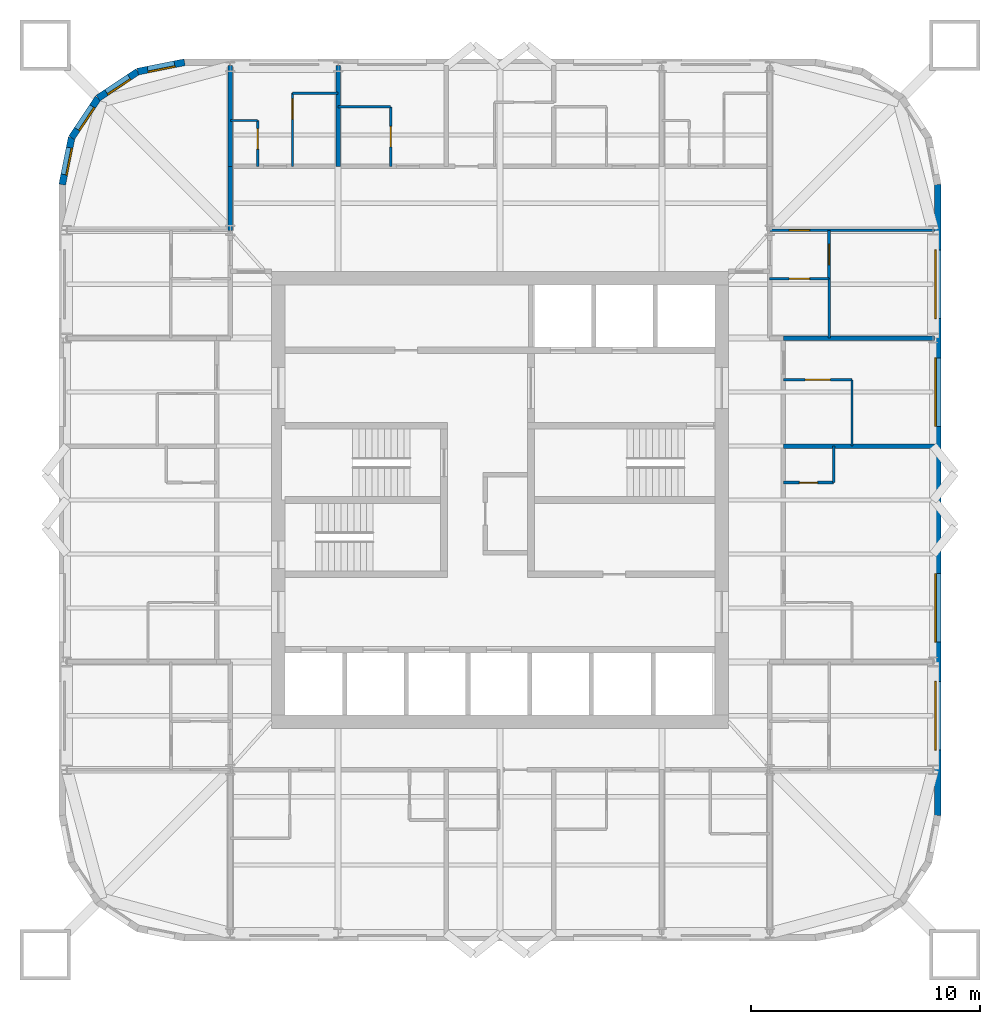
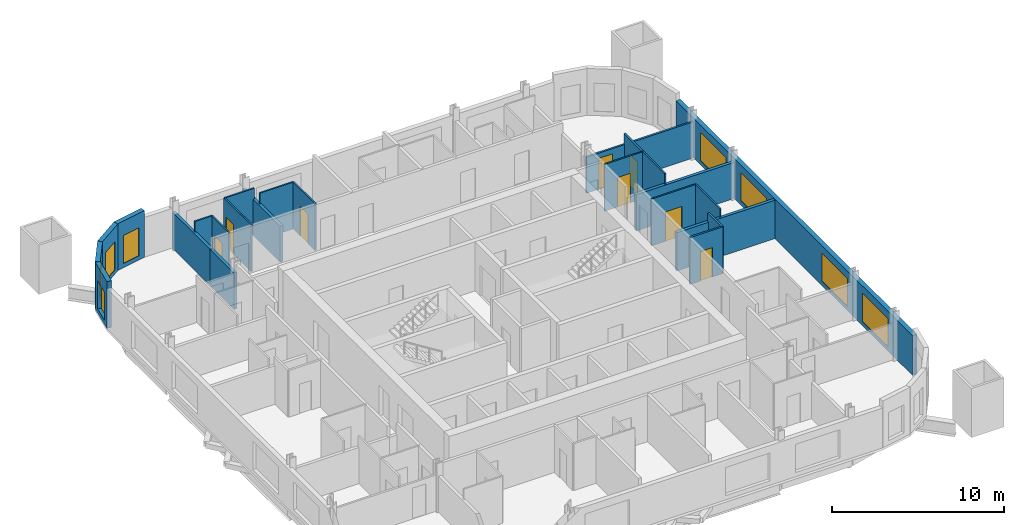
# One storey, part 6 of 9: 24 walls, 8 doors, 8 windows, 16 openings.
"""IFC4 building model written with IfcOpenShell, lengths in metres."""

import ifcopenshell
import ifcopenshell.guid

model = None  # the IFC model being written
_history = None  # IfcOwnerHistory: only IFC2X3 demands one
_inside = {}  # id of a spatial element -> (the spatial element, [elements in it])
_under = {}  # id of a project, library or spatial element -> (it, [spatial elements below it])
_declared = {}  # id of a project -> (the project, [libraries it declares])
_typed = {}  # id of a type object -> (the type object, [elements of that type])
_made_of = {}  # id of a material, layer set ... -> (it, [elements and type objects made of it])


def new_model(schema):
    """Start an empty IFC model of exactly this schema.

    Asked for "IFC4X3", IfcOpenShell would pick the latest addendum, in which some entities
    have other attributes; the version numbers below select the first issue.
    IFC2X3 requires an IfcOwnerHistory on every rooted entity: one is made here for all.
    """
    global model, _history
    if schema == "IFC4X3":
        model = ifcopenshell.file(schema_version=(4, 3, 0, 0))
    else:
        model = ifcopenshell.file(schema=schema)
    _inside.clear()
    _under.clear()
    _declared.clear()
    _typed.clear()
    _made_of.clear()
    _history = None
    if model.schema == "IFC2X3":
        org = make("IfcOrganization", Name="unknown")
        user = make(
            "IfcPersonAndOrganization",
            ThePerson=make("IfcPerson", FamilyName="unknown"),
            TheOrganization=org,
        )
        app = make(
            "IfcApplication",
            ApplicationDeveloper=org,
            Version="unknown",
            ApplicationFullName="unknown",
            ApplicationIdentifier="unknown",
        )
        _history = make(
            "IfcOwnerHistory",
            OwningUser=user,
            OwningApplication=app,
            ChangeAction="ADDED",
            CreationDate=0,
        )
    return model


def make(cls, **values):
    """One entity of the class cls with the attributes given. An attribute that is None is left unset."""
    return model.create_entity(
        cls, **{name: value for name, value in values.items() if value is not None}
    )


def rooted(cls, **values):
    """An entity with a GlobalId (a new one), such as an element, a storey or a relation."""
    return make(cls, GlobalId=ifcopenshell.guid.new(), OwnerHistory=_history, **values)


def si_unit(unit_type, name, prefix=None):
    """IfcSIUnit, for example si_unit("LENGTHUNIT", "METRE", prefix="MILLI")."""
    return make("IfcSIUnit", UnitType=unit_type, Prefix=prefix, Name=name)


def assignment(units):
    """IfcUnitAssignment: the units of a project."""
    return None if units is None else make("IfcUnitAssignment", Units=units)


def point(xyz):
    """IfcCartesianPoint."""
    return None if xyz is None else make("IfcCartesianPoint", Coordinates=xyz)


def direction(xyz):
    """IfcDirection."""
    return None if xyz is None else make("IfcDirection", DirectionRatios=xyz)


def frame(location, z_axis=None, x_axis=None):
    """IfcAxis2Placement3D, a coordinate frame: its origin and axes. An axis left out is left unset."""
    return make(
        "IfcAxis2Placement3D",
        Location=point(location),
        Axis=direction(z_axis),
        RefDirection=direction(x_axis),
    )


def frame_2d(location, x_axis=None):
    """IfcAxis2Placement2D, a coordinate frame in the plane: its origin and x axis."""
    return make(
        "IfcAxis2Placement2D", Location=point(location), RefDirection=direction(x_axis)
    )


def origin():
    """The frame at (0, 0, 0) with its axes left unset."""
    return frame((0.0, 0.0, 0.0))


def place(relative_to, where):
    """IfcLocalPlacement: puts the frame where relative to a parent placement (None: the world)."""
    return make(
        "IfcLocalPlacement", PlacementRelTo=relative_to, RelativePlacement=where
    )


def context(
    kind, dimensions, precision=None, world=None, true_north=None, identifier=None
):
    """IfcGeometricRepresentationContext, for example the 3D "Model" context."""
    return make(
        "IfcGeometricRepresentationContext",
        ContextIdentifier=identifier,
        ContextType=kind,
        CoordinateSpaceDimension=dimensions,
        Precision=precision,
        WorldCoordinateSystem=world,
        TrueNorth=true_north,
    )


def subcontext(parent, identifier, kind, view, scale=None):
    """IfcGeometricRepresentationSubContext, for example "Body" below "Model"."""
    return make(
        "IfcGeometricRepresentationSubContext",
        ContextIdentifier=identifier,
        ContextType=kind,
        ParentContext=parent,
        TargetScale=scale,
        TargetView=view,
    )


def project(units=None, contexts=None):
    """IfcProject with its units and contexts."""
    return rooted(
        "IfcProject",
        Name="project",
        RepresentationContexts=contexts,
        UnitsInContext=assignment(units),
    )


def spatial(cls, under=None, at=None, **own):
    """A site, building, storey or space (cls), placed at a placement, below another one or the project."""
    s = rooted(cls, ObjectPlacement=at, **own)
    if under is not None:
        _under.setdefault(under.id(), (under, []))[1].append(s)
    return s


def profile(cls, at=None, kind="AREA", **sizes):
    """A parametric profile (cls). Its sizes go by their IFC names, for example OverallWidth=200.0."""
    return make(cls, ProfileType=kind, Position=at, **sizes)


def rectangle(**sizes):
    """IfcRectangleProfileDef."""
    return profile("IfcRectangleProfileDef", **sizes)


def extrude(swept, where, along, depth):
    """IfcExtrudedAreaSolid: the profile swept, set in the frame where, extruded along a direction by depth."""
    return make(
        "IfcExtrudedAreaSolid",
        SweptArea=swept,
        Position=where,
        ExtrudedDirection=direction(along),
        Depth=depth,
    )


def shape(context_of_items, identifier, shape_type, items):
    """IfcShapeRepresentation: the items that make up one representation, for example the "Body"."""
    return make(
        "IfcShapeRepresentation",
        ContextOfItems=context_of_items,
        RepresentationIdentifier=identifier,
        RepresentationType=shape_type,
        Items=items,
    )


def material(Name=None, Category=None):
    """IfcMaterial."""
    return make("IfcMaterial", Name=Name, Category=Category)


def layer(
    of_material, thickness, ventilated=None, Name=None, Category=None, Priority=None
):
    """IfcMaterialLayer: one layer of a wall or slab, of a material (None: an air gap)."""
    return make(
        "IfcMaterialLayer",
        Material=of_material,
        LayerThickness=thickness,
        IsVentilated=ventilated,
        Name=Name,
        Category=Category,
        Priority=Priority,
    )


def layer_set(layers, Name=None):
    """IfcMaterialLayerSet."""
    return make("IfcMaterialLayerSet", MaterialLayers=layers, LayerSetName=Name)


def made_of(thing, what):
    """Note that an element or type object is made of a material, layer set ...; save() writes the relation."""
    if what is not None:
        _made_of.setdefault(what.id(), (what, []))[1].append(thing)
    return thing


def type_object(cls, material=None, **own):
    """A type object (cls), such as IfcWallType, which elements share."""
    return made_of(rooted(cls, **own), material)


def element(
    cls,
    number,
    at=None,
    inside=None,
    cuts=None,
    type_object=None,
    material=None,
    context=None,
    identifier="Body",
    shape_type=None,
    held_by="IfcProductDefinitionShape",
    body=None,
    shapes=None,
    **own,
):
    """One element of the class cls, such as IfcWall. Its Tag is "e" and its number.

    at: its placement. inside: the storey or other place that contains it. cuts: it is an
    opening in that element (IfcRelVoidsElement). A single representation is given by context,
    identifier, shape_type and body (its items); several are given by shapes. held_by: the class
    of the entity that holds the representations. save() writes the other relations.
    """
    e = rooted(cls, Tag="e%d" % number, ObjectPlacement=at, **own)
    if body is not None:
        shapes = [shape(context, identifier, shape_type, body)]
    if shapes is not None:
        e.Representation = make(held_by, Representations=shapes)
    if inside is not None:
        _inside.setdefault(inside.id(), (inside, []))[1].append(e)
    if cuts is not None:
        rooted(
            "IfcRelVoidsElement", RelatingBuildingElement=cuts, RelatedOpeningElement=e
        )
    if type_object is not None:
        _typed.setdefault(type_object.id(), (type_object, []))[1].append(e)
    return made_of(e, material)


def fill(opening, filler):
    """IfcRelFillsElement: the door or window that sits in an opening."""
    return rooted(
        "IfcRelFillsElement",
        RelatingOpeningElement=opening,
        RelatedBuildingElement=filler,
    )


def aggregate(whole, parts):
    """IfcRelAggregates: a whole, such as a stair, and the parts it consists of."""
    return rooted("IfcRelAggregates", RelatingObject=whole, RelatedObjects=parts)


def save(model, path):
    """Write the relations noted so far, then the file.

    IfcRelAggregates (storeys below a building ...), IfcRelContainedInSpatialStructure (elements
    in a storey), IfcRelDefinesByType, IfcRelAssociatesMaterial and IfcRelDeclares: one each for
    every whole, place, type object, material and project.
    """
    for whole, parts in _under.values():
        aggregate(whole, parts)
    for where, things in _inside.values():
        rooted(
            "IfcRelContainedInSpatialStructure",
            RelatedElements=things,
            RelatingStructure=where,
        )
    for kind, things in _typed.values():
        rooted("IfcRelDefinesByType", RelatedObjects=things, RelatingType=kind)
    for what, things in _made_of.values():
        rooted("IfcRelAssociatesMaterial", RelatedObjects=things, RelatingMaterial=what)
    for by, libraries in _declared.values():
        rooted("IfcRelDeclares", RelatingContext=by, RelatedDefinitions=libraries)
    model.write(path)


model = new_model("IFC4")

# Units and contexts
model_context = context("Model", 3, precision=1e-05, world=origin(), true_north=direction((0.0, 1.0)))
body_context = subcontext(model_context, "Body", "Model", "MODEL_VIEW")
ifc_project = project(units=[si_unit("LENGTHUNIT", "METRE"), si_unit("AREAUNIT", "SQUARE_METRE"), si_unit("VOLUMEUNIT", "CUBIC_METRE"), si_unit("PLANEANGLEUNIT", "RADIAN"), si_unit("MASSUNIT", "GRAM", prefix="KILO")], contexts=[model_context])

# Site, building, storey
site_placement = place(None, origin())
site = spatial("IfcSite", under=ifc_project, at=site_placement, CompositionType="ELEMENT")
building_placement = place(site_placement, origin())
building = spatial("IfcBuilding", under=site, at=building_placement, Name="Turquesa Mirador Hotel Tower", CompositionType="ELEMENT")
storey_placement = place(building_placement, frame((0.0, 0.0, 189.800048828125)))
storey = spatial("IfcBuildingStorey", under=building, at=storey_placement, Name="L51", CompositionType="ELEMENT", Elevation=189.800048828125)

# Walls
ifc_material_1 = material(Name="Gypsum board on steel studs", Category="steel")
ifc_layer_1 = layer(ifc_material_1, 0.10009765625)
ifc_layer_set_1 = layer_set([ifc_layer_1], Name="BATHROOM WALL 100")
wall_type_1 = type_object("IfcWallType", Name="BATHROOM WALL 100", PredefinedType="PARTITIONING", material=ifc_layer_set_1)
wall_1_placement = place(storey_placement, frame((43.199951171875, 61.60009765625, 0.0), z_axis=(0.0, 0.0, 1.0), x_axis=(1.0, 0.0, 0.0)))
element("IfcWall", 1, at=wall_1_placement, inside=storey, type_object=wall_type_1, Name="Partition L51 024", PredefinedType="PARTITIONING", context=body_context, shape_type="SweptSolid", body=[
    extrude(rectangle(XDim=1.199951171875, YDim=0.10009765625, at=frame_2d((0.60009765625, 0.0))), origin(), (0.0, 0.0, 1.0), 3.329833984375),
])
wall_2_placement = place(storey_placement, frame((47.919921875, 62.199951171875, 0.0), z_axis=(0.0, 0.0, 1.0), x_axis=(1.0, 0.0, 0.0)))
element("IfcWall", 2, at=wall_2_placement, inside=storey, type_object=wall_type_1, Name="Partition L51 026", PredefinedType="PARTITIONING", context=body_context, shape_type="SweptSolid", body=[
    extrude(rectangle(XDim=2.300048828125, YDim=0.10009765625, at=frame_2d((1.14990234375, 0.0))), origin(), (0.0, 0.0, 1.0), 3.329833984375),
])
wall_3_placement = place(storey_placement, frame((45.919921875, 62.800048828125, 0.0), z_axis=(0.0, 0.0, 1.0), x_axis=(1.0, 0.0, 0.0)))
element("IfcWall", 3, at=wall_3_placement, inside=storey, type_object=wall_type_1, Name="Partition L51 029", PredefinedType="PARTITIONING", context=body_context, shape_type="SweptSolid", body=[
    extrude(rectangle(XDim=2.0, YDim=0.10009765625, at=frame_2d((1.0, 0.0))), origin(), (0.0, 0.0, 1.0), 3.329833984375),
])

# Wall, opening, door
wall_4_placement = place(storey_placement, frame((67.39990234375, 50.260009765625, 0.0), z_axis=(0.0, 0.0, 1.0), x_axis=(1.0, 0.0, 0.0)))
wall_4 = element("IfcWall", 4, at=wall_4_placement, inside=storey, type_object=wall_type_1, Name="Partition L51 034", PredefinedType="PARTITIONING", context=body_context, shape_type="SweptSolid", body=[
    extrude(rectangle(XDim=3.0, YDim=0.10009765625, at=frame_2d((1.5, 0.0))), origin(), (0.0, 0.0, 1.0), 3.329833984375),
])
opening_1_placement = place(wall_4_placement, frame((0.949951171875, 0.0, 0.0)))
opening_1 = element("IfcOpeningElement", 5, at=opening_1_placement, cuts=wall_4, Name="Opening D16", PredefinedType="OPENING", context=body_context, shape_type="SweptSolid", body=[
    extrude(rectangle(XDim=1.10009765625, YDim=2.10009765625, at=frame_2d((0.550048828125, 1.050048828125))), frame((0.0, 0.06005859375, 0.0), z_axis=(0.0, -1.0, 0.0), x_axis=(1.0, 0.0, 0.0)), (0.0, 0.0, 1.0), 0.1201171875),
])
ifc_material_2 = material(Name="Timber veneered sliding door", Category="wood")
door_type_1 = type_object("IfcDoorType", Name="DOOR 1100X2100 ACCESSIBLE EN-SUITE", OperationType="SLIDING_TO_LEFT", PredefinedType="DOOR", material=ifc_material_2)
door_1_placement = place(opening_1_placement, origin())
door_1 = element("IfcDoor", 6, at=door_1_placement, inside=storey, type_object=door_type_1, Name="Door 5111B", OperationType="SLIDING_TO_LEFT", OverallHeight=2.10009765625, OverallWidth=1.10009765625, PredefinedType="DOOR", context=body_context, shape_type="SweptSolid", body=[
    extrude(rectangle(XDim=1.10009765625, YDim=2.10009765625, at=frame_2d((0.550048828125, 1.050048828125))), frame((0.0, 0.02490234375, 0.0), z_axis=(0.0, -1.0, 0.0), x_axis=(1.0, 0.0, 0.0)), (0.0, 0.0, 1.0), 0.050048828125),
])
fill(opening_1, door_1)

wall_5_placement = place(storey_placement, frame((66.800048828125, 54.679931640625, 0.0), z_axis=(0.0, 0.0, 1.0), x_axis=(1.0, 0.0, 0.0)))
wall_5 = element("IfcWall", 7, at=wall_5_placement, inside=storey, type_object=wall_type_1, Name="Partition L51 040", PredefinedType="PARTITIONING", context=body_context, shape_type="SweptSolid", body=[
    extrude(rectangle(XDim=2.599853515625, YDim=0.10009765625, at=frame_2d((1.2998046875, 0.0))), origin(), (0.0, 0.0, 1.0), 3.329833984375),
])
opening_2_placement = place(wall_5_placement, frame((0.85009765625, 0.0, 0.0)))
opening_2 = element("IfcOpeningElement", 8, at=opening_2_placement, cuts=wall_5, Name="Opening D02", PredefinedType="OPENING", context=body_context, shape_type="SweptSolid", body=[
    extrude(rectangle(XDim=0.89990234375, YDim=2.10009765625, at=frame_2d((0.449951171875, 1.050048828125))), frame((0.0, 0.06005859375, 0.0), z_axis=(0.0, -1.0, 0.0), x_axis=(1.0, 0.0, 0.0)), (0.0, 0.0, 1.0), 0.1201171875),
])
ifc_material_3 = material(Name="Timber veneered door", Category="wood")
door_type_2 = type_object("IfcDoorType", Name="DOOR 900X2100 EN-SUITE", OperationType="SINGLE_SWING_RIGHT", PredefinedType="DOOR", material=ifc_material_3)
door_2_placement = place(opening_2_placement, origin())
door_2 = element("IfcDoor", 9, at=door_2_placement, inside=storey, type_object=door_type_2, Name="Door 5114B", OperationType="SINGLE_SWING_RIGHT", OverallHeight=2.10009765625, OverallWidth=0.89990234375, PredefinedType="DOOR", context=body_context, shape_type="SweptSolid", body=[
    extrude(rectangle(XDim=0.89990234375, YDim=2.10009765625, at=frame_2d((0.449951171875, 1.050048828125))), frame((0.0, 0.02490234375, 0.0), z_axis=(0.0, -1.0, 0.0), x_axis=(1.0, 0.0, 0.0)), (0.0, 0.0, 1.0), 0.050048828125),
])
fill(opening_2, door_2)

wall_6_placement = place(storey_placement, frame((44.39990234375, 59.60009765625, 0.0), z_axis=(0.0, 0.0, 1.0), x_axis=(0.0, 1.0, 0.0)))
wall_6 = element("IfcWall", 10, at=wall_6_placement, inside=storey, type_object=wall_type_1, Name="Partition L51 043", PredefinedType="PARTITIONING", context=body_context, shape_type="SweptSolid", body=[
    extrude(rectangle(XDim=2.0, YDim=0.10009765625, at=frame_2d((1.0, 0.0))), origin(), (0.0, 0.0, 1.0), 3.329833984375),
])
opening_3_placement = place(wall_6_placement, frame((0.75, 0.0, 0.0)))
opening_3 = element("IfcOpeningElement", 11, at=opening_3_placement, cuts=wall_6, Name="Opening D06", PredefinedType="OPENING", context=body_context, shape_type="SweptSolid", body=[
    extrude(rectangle(XDim=0.89990234375, YDim=2.10009765625, at=frame_2d((0.449951171875, 1.050048828125))), frame((0.0, 0.06005859375, 0.0), z_axis=(0.0, -1.0, 0.0), x_axis=(1.0, 0.0, 0.0)), (0.0, 0.0, 1.0), 0.1201171875),
])
ifc_material_4 = material(Name="Laminate door", Category="wood")
door_type_3 = type_object("IfcDoorType", Name="DOOR 900X2100 WC", OperationType="SINGLE_SWING_LEFT", PredefinedType="DOOR", material=ifc_material_4)
door_3_placement = place(opening_3_placement, origin())
door_3 = element("IfcDoor", 12, at=door_3_placement, inside=storey, type_object=door_type_3, Name="Door 5101W", OperationType="SINGLE_SWING_LEFT", OverallHeight=2.10009765625, OverallWidth=0.89990234375, PredefinedType="DOOR", context=body_context, shape_type="SweptSolid", body=[
    extrude(rectangle(XDim=0.89990234375, YDim=2.10009765625, at=frame_2d((0.449951171875, 1.050048828125))), frame((0.0, 0.02490234375, 0.0), z_axis=(0.0, -1.0, 0.0), x_axis=(1.0, 0.0, 0.0)), (0.0, 0.0, 1.0), 0.050048828125),
])
fill(opening_3, door_3)

wall_7_placement = place(storey_placement, frame((50.219970703125, 59.60009765625, 0.0), z_axis=(0.0, 0.0, 1.0), x_axis=(0.0, 1.0, 0.0)))
wall_7 = element("IfcWall", 13, at=wall_7_placement, inside=storey, type_object=wall_type_1, Name="Partition L51 059", PredefinedType="PARTITIONING", context=body_context, shape_type="SweptSolid", body=[
    extrude(rectangle(XDim=2.599853515625, YDim=0.10009765625, at=frame_2d((1.2998046875, 0.0))), origin(), (0.0, 0.0, 1.0), 3.329833984375),
])
opening_4_placement = place(wall_7_placement, frame((0.85009765625, 0.0, 0.0)))
opening_4 = element("IfcOpeningElement", 14, at=opening_4_placement, cuts=wall_7, Name="Opening D02", PredefinedType="OPENING", context=body_context, shape_type="SweptSolid", body=[
    extrude(rectangle(XDim=0.89990234375, YDim=2.10009765625, at=frame_2d((0.449951171875, 1.050048828125))), frame((0.0, 0.06005859375, 0.0), z_axis=(0.0, -1.0, 0.0), x_axis=(1.0, 0.0, 0.0)), (0.0, 0.0, 1.0), 0.1201171875),
])
door_4_placement = place(opening_4_placement, origin())
door_4 = element("IfcDoor", 15, at=door_4_placement, inside=storey, type_object=door_type_2, Name="Door 5102B", OperationType="SINGLE_SWING_RIGHT", OverallHeight=2.10009765625, OverallWidth=0.89990234375, PredefinedType="DOOR", context=body_context, shape_type="SweptSolid", body=[
    extrude(rectangle(XDim=0.89990234375, YDim=2.10009765625, at=frame_2d((0.449951171875, 1.050048828125))), frame((0.0, 0.02490234375, 0.0), z_axis=(0.0, -1.0, 0.0), x_axis=(1.0, 0.0, 0.0)), (0.0, 0.0, 1.0), 0.050048828125),
])
fill(opening_4, door_4)

wall_8_placement = place(storey_placement, frame((45.919921875, 59.60009765625, 0.0), z_axis=(0.0, 0.0, 1.0), x_axis=(0.0, 1.0, 0.0)))
wall_8 = element("IfcWall", 16, at=wall_8_placement, inside=storey, type_object=wall_type_1, Name="Partition L51 061", PredefinedType="PARTITIONING", context=body_context, shape_type="SweptSolid", body=[
    extrude(rectangle(XDim=3.199951171875, YDim=0.10009765625, at=frame_2d((1.60009765625, 0.0))), origin(), (0.0, 0.0, 1.0), 3.329833984375),
])
opening_5_placement = place(wall_8_placement, frame((2.050048828125, 0.0, 0.0)))
opening_5 = element("IfcOpeningElement", 17, at=opening_5_placement, cuts=wall_8, Name="Opening D02", PredefinedType="OPENING", context=body_context, shape_type="SweptSolid", body=[
    extrude(rectangle(XDim=0.89990234375, YDim=2.10009765625, at=frame_2d((0.449951171875, 1.050048828125))), frame((0.0, 0.06005859375, 0.0), z_axis=(0.0, -1.0, 0.0), x_axis=(1.0, 0.0, 0.0)), (0.0, 0.0, 1.0), 0.1201171875),
])
door_5_placement = place(opening_5_placement, origin())
door_5 = element("IfcDoor", 18, at=door_5_placement, inside=storey, type_object=door_type_2, Name="Door 5101B", OperationType="SINGLE_SWING_RIGHT", OverallHeight=2.10009765625, OverallWidth=0.89990234375, PredefinedType="DOOR", context=body_context, shape_type="SweptSolid", body=[
    extrude(rectangle(XDim=0.89990234375, YDim=2.10009765625, at=frame_2d((0.449951171875, 1.050048828125))), frame((0.0, 0.02490234375, 0.0), z_axis=(0.0, -1.0, 0.0), x_axis=(1.0, 0.0, 0.0)), (0.0, 0.0, 1.0), 0.050048828125),
])
fill(opening_5, door_5)

# Walls
wall_9_placement = place(storey_placement, frame((69.39990234375, 52.080078125, 0.0), z_axis=(0.0, 0.0, 1.0), x_axis=(0.0, 1.0, 0.0)))
element("IfcWall", 19, at=wall_9_placement, inside=storey, type_object=wall_type_1, Name="Partition L51 069", PredefinedType="PARTITIONING", context=body_context, shape_type="SweptSolid", body=[
    extrude(rectangle(XDim=2.599853515625, YDim=0.10009765625, at=frame_2d((1.2998046875, 0.0))), origin(), (0.0, 0.0, 1.0), 3.329833984375),
])
wall_10_placement = place(storey_placement, frame((70.39990234375, 47.360107421875, 0.0), z_axis=(0.0, 0.0, 1.0), x_axis=(0.0, 1.0, 0.0)))
element("IfcWall", 20, at=wall_10_placement, inside=storey, type_object=wall_type_1, Name="Partition L51 074", PredefinedType="PARTITIONING", context=body_context, shape_type="SweptSolid", body=[
    extrude(rectangle(XDim=2.89990234375, YDim=0.10009765625, at=frame_2d((1.449951171875, 0.0))), origin(), (0.0, 0.0, 1.0), 3.329833984375),
])
ifc_material_5 = material(Name="Fire-rated gypsum board on steel studs", Category="steel")
ifc_layer_2 = layer(ifc_material_5, 0.199951171875)
ifc_layer_set_2 = layer_set([ifc_layer_2], Name="CORRIDOR WALL 200")
wall_type_2 = type_object("IfcWallType", Name="CORRIDOR WALL 200", PredefinedType="PARTITIONING", material=ifc_layer_set_2)
wall_11_placement = place(storey_placement, frame((43.199951171875, 56.780029296875, 0.0), z_axis=(0.0, 0.0, 1.0), x_axis=(0.0, 1.0, 0.0)))
element("IfcWall", 21, at=wall_11_placement, inside=storey, type_object=wall_type_2, Name="Partition L51 085", PredefinedType="PARTITIONING", context=body_context, shape_type="SweptSolid", body=[
    extrude(rectangle(XDim=2.820068359375, YDim=0.199951171875, at=frame_2d((1.41015625, 0.0))), origin(), (0.0, 0.0, 1.0), 2.572998046875),
])

# Wall, openings, windows
ifc_material_6 = material(Name="Limestone cladding on concrete block", Category="masonry")
ifc_layer_3 = layer(ifc_material_6, 0.300048828125)
ifc_layer_set_3 = layer_set([ifc_layer_3], Name="FACADE WALL 300 STONE SCREEN")
wall_type_3 = type_object("IfcWallType", Name="FACADE WALL 300 STONE SCREEN", PredefinedType="SOLIDWALL", material=ifc_layer_set_3)
wall_12_placement = place(storey_placement, frame((74.14990234375, 31.199951171875, 0.0), z_axis=(0.0, 0.0, 1.0), x_axis=(0.0, 1.0, 0.0)))
wall_12 = element("IfcWall", 22, at=wall_12_placement, inside=storey, type_object=wall_type_3, Name="Facade wall L51 04", PredefinedType="SOLIDWALL", context=body_context, shape_type="SweptSolid", body=[
    extrude(rectangle(XDim=27.60009765625, YDim=0.300048828125, at=frame_2d((13.800048828125, 0.0))), origin(), (0.0, 0.0, 1.0), 2.829833984375),
])
opening_6_placement = place(wall_12_placement, frame((2.860107421875, 0.0, 0.300048828125)))
opening_6 = element("IfcOpeningElement", 23, at=opening_6_placement, cuts=wall_12, Name="Opening WN1", PredefinedType="OPENING", context=body_context, shape_type="SweptSolid", body=[
    extrude(rectangle(XDim=3.0, YDim=2.0, at=frame_2d((1.5, 1.0))), frame((0.0, 0.159912109375, 0.0), z_axis=(0.0, -1.0, 0.0), x_axis=(1.0, 0.0, 0.0)), (0.0, 0.0, 1.0), 0.320068359375),
])
opening_7_placement = place(wall_12_placement, frame((7.580078125, 0.0, 0.300048828125)))
opening_7 = element("IfcOpeningElement", 24, at=opening_7_placement, cuts=wall_12, Name="Opening WN1", PredefinedType="OPENING", context=body_context, shape_type="SweptSolid", body=[
    extrude(rectangle(XDim=3.0, YDim=2.0, at=frame_2d((1.5, 1.0))), frame((0.0, 0.159912109375, 0.0), z_axis=(0.0, -1.0, 0.0), x_axis=(1.0, 0.0, 0.0)), (0.0, 0.0, 1.0), 0.320068359375),
])
opening_8_placement = place(wall_12_placement, frame((17.02001953125, 0.0, 0.300048828125)))
opening_8 = element("IfcOpeningElement", 25, at=opening_8_placement, cuts=wall_12, Name="Opening WN1", PredefinedType="OPENING", context=body_context, shape_type="SweptSolid", body=[
    extrude(rectangle(XDim=3.0, YDim=2.0, at=frame_2d((1.5, 1.0))), frame((0.0, 0.159912109375, 0.0), z_axis=(0.0, -1.0, 0.0), x_axis=(1.0, 0.0, 0.0)), (0.0, 0.0, 1.0), 0.320068359375),
])
opening_9_placement = place(wall_12_placement, frame((21.739990234375, 0.0, 0.300048828125)))
opening_9 = element("IfcOpeningElement", 26, at=opening_9_placement, cuts=wall_12, Name="Opening WN1", PredefinedType="OPENING", context=body_context, shape_type="SweptSolid", body=[
    extrude(rectangle(XDim=3.0, YDim=2.0, at=frame_2d((1.5, 1.0))), frame((0.0, 0.159912109375, 0.0), z_axis=(0.0, -1.0, 0.0), x_axis=(1.0, 0.0, 0.0)), (0.0, 0.0, 1.0), 0.320068359375),
])
ifc_material_7 = material(Name="Ceramic-fritted laminated glass", Category="glass")
window_type_1 = type_object("IfcWindowType", Name="FRITTED WINDOW 3000X2000", PartitioningType="DOUBLE_PANEL_HORIZONTAL", PredefinedType="WINDOW", material=ifc_material_7)
window_1_placement = place(opening_6_placement, origin())
window_1 = element("IfcWindow", 27, at=window_1_placement, inside=storey, type_object=window_type_1, Name="Window L51", OverallHeight=2.0, OverallWidth=3.0, PartitioningType="SINGLE_PANEL", PredefinedType="WINDOW", context=body_context, shape_type="SweptSolid", body=[
    extrude(rectangle(XDim=3.0, YDim=2.0, at=frame_2d((1.5, 1.0))), frame((0.0, 0.130126953125, 0.0), z_axis=(0.0, -1.0, 0.0), x_axis=(1.0, 0.0, 0.0)), (0.0, 0.0, 1.0), 0.06005859375),
])
fill(opening_6, window_1)
window_2_placement = place(opening_7_placement, origin())
window_2 = element("IfcWindow", 28, at=window_2_placement, inside=storey, type_object=window_type_1, Name="Window L51", OverallHeight=2.0, OverallWidth=3.0, PartitioningType="SINGLE_PANEL", PredefinedType="WINDOW", context=body_context, shape_type="SweptSolid", body=[
    extrude(rectangle(XDim=3.0, YDim=2.0, at=frame_2d((1.5, 1.0))), frame((0.0, 0.130126953125, 0.0), z_axis=(0.0, -1.0, 0.0), x_axis=(1.0, 0.0, 0.0)), (0.0, 0.0, 1.0), 0.06005859375),
])
fill(opening_7, window_2)
window_3_placement = place(opening_8_placement, origin())
window_3 = element("IfcWindow", 29, at=window_3_placement, inside=storey, type_object=window_type_1, Name="Window L51", OverallHeight=2.0, OverallWidth=3.0, PartitioningType="SINGLE_PANEL", PredefinedType="WINDOW", context=body_context, shape_type="SweptSolid", body=[
    extrude(rectangle(XDim=3.0, YDim=2.0, at=frame_2d((1.5, 1.0))), frame((0.0, 0.130126953125, 0.0), z_axis=(0.0, -1.0, 0.0), x_axis=(1.0, 0.0, 0.0)), (0.0, 0.0, 1.0), 0.06005859375),
])
fill(opening_8, window_3)
window_4_placement = place(opening_9_placement, origin())
window_4 = element("IfcWindow", 30, at=window_4_placement, inside=storey, type_object=window_type_1, Name="Window L51", OverallHeight=2.0, OverallWidth=3.0, PartitioningType="SINGLE_PANEL", PredefinedType="WINDOW", context=body_context, shape_type="SweptSolid", body=[
    extrude(rectangle(XDim=3.0, YDim=2.0, at=frame_2d((1.5, 1.0))), frame((0.0, 0.130126953125, 0.0), z_axis=(0.0, -1.0, 0.0), x_axis=(1.0, 0.0, 0.0)), (0.0, 0.0, 1.0), 0.06005859375),
])
fill(opening_9, window_4)

# Wall, opening, window
wall_13_placement = place(storey_placement, frame((41.199951171875, 64.14990234375, 0.0), z_axis=(0.0, 0.0, 1.0), x_axis=(-0.980787050784, -0.195081421501, 0.0)))
wall_13 = element("IfcWall", 31, at=wall_13_placement, inside=storey, type_object=wall_type_3, Name="Facade wall L51 10", PredefinedType="SOLIDWALL", context=body_context, shape_type="SweptSolid", body=[
    extrude(rectangle(XDim=2.08740234375, YDim=0.300048828125, at=frame_2d((1.043701171875, 0.0))), origin(), (0.0, 0.0, 1.0), 3.329833984375),
])
opening_10_placement = place(wall_13_placement, frame((0.443603515625, 0.0, 0.300048828125)))
opening_10 = element("IfcOpeningElement", 32, at=opening_10_placement, cuts=wall_13, Name="Opening WN4", PredefinedType="OPENING", context=body_context, shape_type="SweptSolid", body=[
    extrude(rectangle(XDim=1.199951171875, YDim=2.0, at=frame_2d((0.60009765625, 1.0))), frame((0.0, 0.159912109375, 0.0), z_axis=(0.0, -1.0, 0.0), x_axis=(1.0, 0.0, 0.0)), (0.0, 0.0, 1.0), 0.320068359375),
])
ifc_material_8 = material(Name="Ceramic-fritted laminated glass", Category="glass")
window_type_2 = type_object("IfcWindowType", Name="FRITTED CORNER WINDOW 1200X2000", PartitioningType="DOUBLE_PANEL_HORIZONTAL", PredefinedType="WINDOW", material=ifc_material_8)
window_5_placement = place(opening_10_placement, origin())
window_5 = element("IfcWindow", 33, at=window_5_placement, inside=storey, type_object=window_type_2, Name="Window L51", OverallHeight=2.0, OverallWidth=1.199951171875, PartitioningType="SINGLE_PANEL", PredefinedType="WINDOW", context=body_context, shape_type="SweptSolid", body=[
    extrude(rectangle(XDim=1.199951171875, YDim=2.0, at=frame_2d((0.60009765625, 1.0))), frame((0.0, 0.130126953125, 0.0), z_axis=(0.0, -1.0, 0.0), x_axis=(1.0, 0.0, 0.0)), (0.0, 0.0, 1.0), 0.06005859375),
])
fill(opening_10, window_5)

wall_14_placement = place(storey_placement, frame((39.152587890625, 63.74267578125, 0.0), z_axis=(0.0, 0.0, 1.0), x_axis=(-0.831474039234, -0.555563607591, 0.0)))
wall_14 = element("IfcWall", 34, at=wall_14_placement, inside=storey, type_object=wall_type_3, Name="Facade wall L51 11", PredefinedType="SOLIDWALL", context=body_context, shape_type="SweptSolid", body=[
    extrude(rectangle(XDim=2.08740234375, YDim=0.300048828125, at=frame_2d((1.043701171875, 0.0))), origin(), (0.0, 0.0, 1.0), 3.329833984375),
])
opening_11_placement = place(wall_14_placement, frame((0.443603515625, 0.0, 0.300048828125)))
opening_11 = element("IfcOpeningElement", 35, at=opening_11_placement, cuts=wall_14, Name="Opening WN4", PredefinedType="OPENING", context=body_context, shape_type="SweptSolid", body=[
    extrude(rectangle(XDim=1.199951171875, YDim=2.0, at=frame_2d((0.60009765625, 1.0))), frame((0.0, 0.159912109375, 0.0), z_axis=(0.0, -1.0, 0.0), x_axis=(1.0, 0.0, 0.0)), (0.0, 0.0, 1.0), 0.320068359375),
])
window_6_placement = place(opening_11_placement, origin())
window_6 = element("IfcWindow", 36, at=window_6_placement, inside=storey, type_object=window_type_2, Name="Window L51", OverallHeight=2.0, OverallWidth=1.199951171875, PartitioningType="SINGLE_PANEL", PredefinedType="WINDOW", context=body_context, shape_type="SweptSolid", body=[
    extrude(rectangle(XDim=1.199951171875, YDim=2.0, at=frame_2d((0.60009765625, 1.0))), frame((0.0, 0.130126953125, 0.0), z_axis=(0.0, -1.0, 0.0), x_axis=(1.0, 0.0, 0.0)), (0.0, 0.0, 1.0), 0.06005859375),
])
fill(opening_11, window_6)

wall_15_placement = place(storey_placement, frame((37.4169921875, 62.5830078125, 0.0), z_axis=(0.0, 0.0, 1.0), x_axis=(-0.555563607591, -0.831474039234, 0.0)))
wall_15 = element("IfcWall", 37, at=wall_15_placement, inside=storey, type_object=wall_type_3, Name="Facade wall L51 12", PredefinedType="SOLIDWALL", context=body_context, shape_type="SweptSolid", body=[
    extrude(rectangle(XDim=2.08740234375, YDim=0.300048828125, at=frame_2d((1.043701171875, 0.0))), origin(), (0.0, 0.0, 1.0), 3.329833984375),
])
opening_12_placement = place(wall_15_placement, frame((0.443603515625, 0.0, 0.300048828125)))
opening_12 = element("IfcOpeningElement", 38, at=opening_12_placement, cuts=wall_15, Name="Opening WN4", PredefinedType="OPENING", context=body_context, shape_type="SweptSolid", body=[
    extrude(rectangle(XDim=1.199951171875, YDim=2.0, at=frame_2d((0.60009765625, 1.0))), frame((0.0, 0.159912109375, 0.0), z_axis=(0.0, -1.0, 0.0), x_axis=(1.0, 0.0, 0.0)), (0.0, 0.0, 1.0), 0.320068359375),
])
window_7_placement = place(opening_12_placement, origin())
window_7 = element("IfcWindow", 39, at=window_7_placement, inside=storey, type_object=window_type_2, Name="Window L51", OverallHeight=2.0, OverallWidth=1.199951171875, PartitioningType="SINGLE_PANEL", PredefinedType="WINDOW", context=body_context, shape_type="SweptSolid", body=[
    extrude(rectangle(XDim=1.199951171875, YDim=2.0, at=frame_2d((0.60009765625, 1.0))), frame((0.0, 0.130126953125, 0.0), z_axis=(0.0, -1.0, 0.0), x_axis=(1.0, 0.0, 0.0)), (0.0, 0.0, 1.0), 0.06005859375),
])
fill(opening_12, window_7)

wall_16_placement = place(storey_placement, frame((36.25732421875, 60.847412109375, 0.0), z_axis=(0.0, 0.0, 1.0), x_axis=(-0.195081421501, -0.980787050784, 0.0)))
wall_16 = element("IfcWall", 40, at=wall_16_placement, inside=storey, type_object=wall_type_3, Name="Facade wall L51 13", PredefinedType="SOLIDWALL", context=body_context, shape_type="SweptSolid", body=[
    extrude(rectangle(XDim=2.08740234375, YDim=0.300048828125, at=frame_2d((1.043701171875, 0.0))), origin(), (0.0, 0.0, 1.0), 3.329833984375),
])
opening_13_placement = place(wall_16_placement, frame((0.443603515625, 0.0, 0.300048828125)))
opening_13 = element("IfcOpeningElement", 41, at=opening_13_placement, cuts=wall_16, Name="Opening WN4", PredefinedType="OPENING", context=body_context, shape_type="SweptSolid", body=[
    extrude(rectangle(XDim=1.199951171875, YDim=2.0, at=frame_2d((0.60009765625, 1.0))), frame((0.0, 0.159912109375, 0.0), z_axis=(0.0, -1.0, 0.0), x_axis=(1.0, 0.0, 0.0)), (0.0, 0.0, 1.0), 0.320068359375),
])
window_8_placement = place(opening_13_placement, origin())
window_8 = element("IfcWindow", 42, at=window_8_placement, inside=storey, type_object=window_type_2, Name="Window L51", OverallHeight=2.0, OverallWidth=1.199951171875, PartitioningType="SINGLE_PANEL", PredefinedType="WINDOW", context=body_context, shape_type="SweptSolid", body=[
    extrude(rectangle(XDim=1.199951171875, YDim=2.0, at=frame_2d((0.60009765625, 1.0))), frame((0.0, 0.130126953125, 0.0), z_axis=(0.0, -1.0, 0.0), x_axis=(1.0, 0.0, 0.0)), (0.0, 0.0, 1.0), 0.06005859375),
])
fill(opening_13, window_8)

# Walls
ifc_material_9 = material(Name="Fire-rated gypsum board on steel studs", Category="steel")
ifc_layer_4 = layer(ifc_material_9, 0.199951171875)
ifc_layer_set_4 = layer_set([ifc_layer_4], Name="PARTY WALL 200")
wall_type_4 = type_object("IfcWallType", Name="PARTY WALL 200", PredefinedType="PARTITIONING", material=ifc_layer_set_4)
wall_17_placement = place(storey_placement, frame((67.39990234375, 47.360107421875, 0.0), z_axis=(0.0, 0.0, 1.0), x_axis=(1.0, 0.0, 0.0)))
element("IfcWall", 43, at=wall_17_placement, inside=storey, type_object=wall_type_4, Name="Partition L51 032", PredefinedType="PARTITIONING", context=body_context, shape_type="SweptSolid", body=[
    extrude(rectangle(XDim=6.60009765625, YDim=0.199951171875, at=frame_2d((3.300048828125, 0.0))), origin(), (0.0, 0.0, 1.0), 2.73046875),
])
wall_18_placement = place(storey_placement, frame((67.39990234375, 52.080078125, 0.0), z_axis=(0.0, 0.0, 1.0), x_axis=(1.0, 0.0, 0.0)))
element("IfcWall", 44, at=wall_18_placement, inside=storey, type_object=wall_type_4, Name="Partition L51 038", PredefinedType="PARTITIONING", context=body_context, shape_type="SweptSolid", body=[
    extrude(rectangle(XDim=6.60009765625, YDim=0.199951171875, at=frame_2d((3.300048828125, 0.0))), origin(), (0.0, 0.0, 1.0), 2.572998046875),
])
for number, where, z_axis, x_axis, name in (
    (45, (43.199951171875, 59.60009765625, 0.0), (0.0, 0.0, 1.0), (0.0, 1.0, 0.0), "Partition L51 047"),
    (46, (47.919921875, 59.60009765625, 0.0), (0.0, 0.0, 1.0), (0.0, 1.0, 0.0), "Partition L51 060"),
):
    element("IfcWall", number, at=place(storey_placement, frame(where, z_axis=z_axis, x_axis=x_axis)), inside=storey, type_object=wall_type_4, Name=name, PredefinedType="PARTITIONING", context=body_context, shape_type="SweptSolid", body=[
        extrude(rectangle(XDim=4.39990234375, YDim=0.199951171875, at=frame_2d((2.199951171875, 0.0))), origin(), (0.0, 0.0, 1.0), 2.572998046875),
    ])

# Wall, opening, door
ifc_material_10 = material(Name="Acoustic gypsum board on steel studs", Category="steel")
ifc_layer_5 = layer(ifc_material_10, 0.125)
ifc_layer_set_5 = layer_set([ifc_layer_5], Name="SUITE PARTITION 125")
wall_type_5 = type_object("IfcWallType", Name="SUITE PARTITION 125", PredefinedType="PARTITIONING", material=ifc_layer_set_5)
wall_19_placement = place(storey_placement, frame((67.39990234375, 45.760009765625, 0.0), z_axis=(0.0, 0.0, 1.0), x_axis=(1.0, 0.0, 0.0)))
wall_19 = element("IfcWall", 47, at=wall_19_placement, inside=storey, type_object=wall_type_5, Name="Partition L51 018", PredefinedType="PARTITIONING", context=body_context, shape_type="SweptSolid", body=[
    extrude(rectangle(XDim=2.2001953125, YDim=0.125, at=frame_2d((1.10009765625, 0.0))), origin(), (0.0, 0.0, 1.0), 3.329833984375),
])
opening_14_placement = place(wall_19_placement, frame((0.699951171875, 0.0, 0.0)))
opening_14 = element("IfcOpeningElement", 48, at=opening_14_placement, cuts=wall_19, Name="Opening D20", PredefinedType="OPENING", context=body_context, shape_type="SweptSolid", body=[
    extrude(rectangle(XDim=0.800048828125, YDim=2.10009765625, at=frame_2d((0.39990234375, 1.050048828125))), frame((0.0, 0.072509765625, 0.0), z_axis=(0.0, -1.0, 0.0), x_axis=(1.0, 0.0, 0.0)), (0.0, 0.0, 1.0), 0.14501953125),
])
ifc_material_11 = material(Name="Timber veneered sliding door", Category="wood")
door_type_4 = type_object("IfcDoorType", Name="DOOR 800X2100 WARDROBE", OperationType="SLIDING_TO_LEFT", PredefinedType="DOOR", material=ifc_material_11)
door_6_placement = place(opening_14_placement, origin())
door_6 = element("IfcDoor", 49, at=door_6_placement, inside=storey, type_object=door_type_4, Name="Door 5110W", OperationType="SLIDING_TO_LEFT", OverallHeight=2.10009765625, OverallWidth=0.800048828125, PredefinedType="DOOR", context=body_context, shape_type="SweptSolid", body=[
    extrude(rectangle(XDim=0.800048828125, YDim=2.10009765625, at=frame_2d((0.39990234375, 1.050048828125))), frame((0.0, 0.02490234375, 0.0), z_axis=(0.0, -1.0, 0.0), x_axis=(1.0, 0.0, 0.0)), (0.0, 0.0, 1.0), 0.050048828125),
])
fill(opening_14, door_6)

wall_20_placement = place(storey_placement, frame((66.800048828125, 56.800048828125, 0.0), z_axis=(0.0, 0.0, 1.0), x_axis=(1.0, 0.0, 0.0)))
wall_20 = element("IfcWall", 50, at=wall_20_placement, inside=storey, type_object=wall_type_5, Name="Partition L51 022", PredefinedType="PARTITIONING", context=body_context, shape_type="SweptSolid", body=[
    extrude(rectangle(XDim=7.199951171875, YDim=0.125, at=frame_2d((3.60009765625, 0.0))), origin(), (0.0, 0.0, 1.0), 2.572998046875),
])
opening_15_placement = place(wall_20_placement, frame((0.85009765625, 0.0, 0.0)))
opening_15 = element("IfcOpeningElement", 51, at=opening_15_placement, cuts=wall_20, Name="Opening D17", PredefinedType="OPENING", context=body_context, shape_type="SweptSolid", body=[
    extrude(rectangle(XDim=0.89990234375, YDim=2.199951171875, at=frame_2d((0.449951171875, 1.10009765625))), frame((0.0, 0.072509765625, 0.0), z_axis=(0.0, -1.0, 0.0), x_axis=(1.0, 0.0, 0.0)), (0.0, 0.0, 1.0), 0.14501953125),
])
ifc_material_12 = material(Name="Timber veneered door", Category="wood")
door_type_5 = type_object("IfcDoorType", Name="DOOR 900X2200 SUITE INTERNAL", OperationType="SINGLE_SWING_LEFT", PredefinedType="DOOR", material=ifc_material_12)
door_7_placement = place(opening_15_placement, origin())
door_7 = element("IfcDoor", 52, at=door_7_placement, inside=storey, type_object=door_type_5, Name="Door 5114", OperationType="SINGLE_SWING_LEFT", OverallHeight=2.199951171875, OverallWidth=0.89990234375, PredefinedType="DOOR", context=body_context, shape_type="SweptSolid", body=[
    extrude(rectangle(XDim=0.89990234375, YDim=2.199951171875, at=frame_2d((0.449951171875, 1.10009765625))), frame((0.0, 0.02490234375, 0.0), z_axis=(0.0, -1.0, 0.0), x_axis=(1.0, 0.0, 0.0)), (0.0, 0.0, 1.0), 0.050048828125),
])
fill(opening_15, door_7)

wall_21_placement = place(storey_placement, frame((69.39990234375, 54.679931640625, 0.0), z_axis=(0.0, 0.0, 1.0), x_axis=(0.0, 1.0, 0.0)))
wall_21 = element("IfcWall", 53, at=wall_21_placement, inside=storey, type_object=wall_type_5, Name="Partition L51 071", PredefinedType="PARTITIONING", context=body_context, shape_type="SweptSolid", body=[
    extrude(rectangle(XDim=2.1201171875, YDim=0.125, at=frame_2d((1.06005859375, 0.0))), origin(), (0.0, 0.0, 1.0), 3.329833984375),
])
opening_16_placement = place(wall_21_placement, frame((0.610107421875, 0.0, 0.0)))
opening_16 = element("IfcOpeningElement", 54, at=opening_16_placement, cuts=wall_21, Name="Opening D17", PredefinedType="OPENING", context=body_context, shape_type="SweptSolid", body=[
    extrude(rectangle(XDim=0.89990234375, YDim=2.199951171875, at=frame_2d((0.449951171875, 1.10009765625))), frame((0.0, 0.072509765625, 0.0), z_axis=(0.0, -1.0, 0.0), x_axis=(1.0, 0.0, 0.0)), (0.0, 0.0, 1.0), 0.14501953125),
])
door_8_placement = place(opening_16_placement, origin())
door_8 = element("IfcDoor", 55, at=door_8_placement, inside=storey, type_object=door_type_5, Name="Door 5114R", OperationType="SINGLE_SWING_LEFT", OverallHeight=2.199951171875, OverallWidth=0.89990234375, PredefinedType="DOOR", context=body_context, shape_type="SweptSolid", body=[
    extrude(rectangle(XDim=0.89990234375, YDim=2.199951171875, at=frame_2d((0.449951171875, 1.10009765625))), frame((0.0, 0.02490234375, 0.0), z_axis=(0.0, -1.0, 0.0), x_axis=(1.0, 0.0, 0.0)), (0.0, 0.0, 1.0), 0.050048828125),
])
fill(opening_16, door_8)

# Wall
wall_22_placement = place(storey_placement, frame((69.60009765625, 45.760009765625, 0.0), z_axis=(0.0, 0.0, 1.0), x_axis=(0.0, 1.0, 0.0)))
element("IfcWall", 56, at=wall_22_placement, inside=storey, type_object=wall_type_5, Name="Partition L51 072", PredefinedType="PARTITIONING", context=body_context, shape_type="SweptSolid", body=[
    extrude(rectangle(XDim=1.60009765625, YDim=0.125, at=frame_2d((0.800048828125, 0.0))), origin(), (0.0, 0.0, 1.0), 3.329833984375),
])

save(model, "model.ifc")
